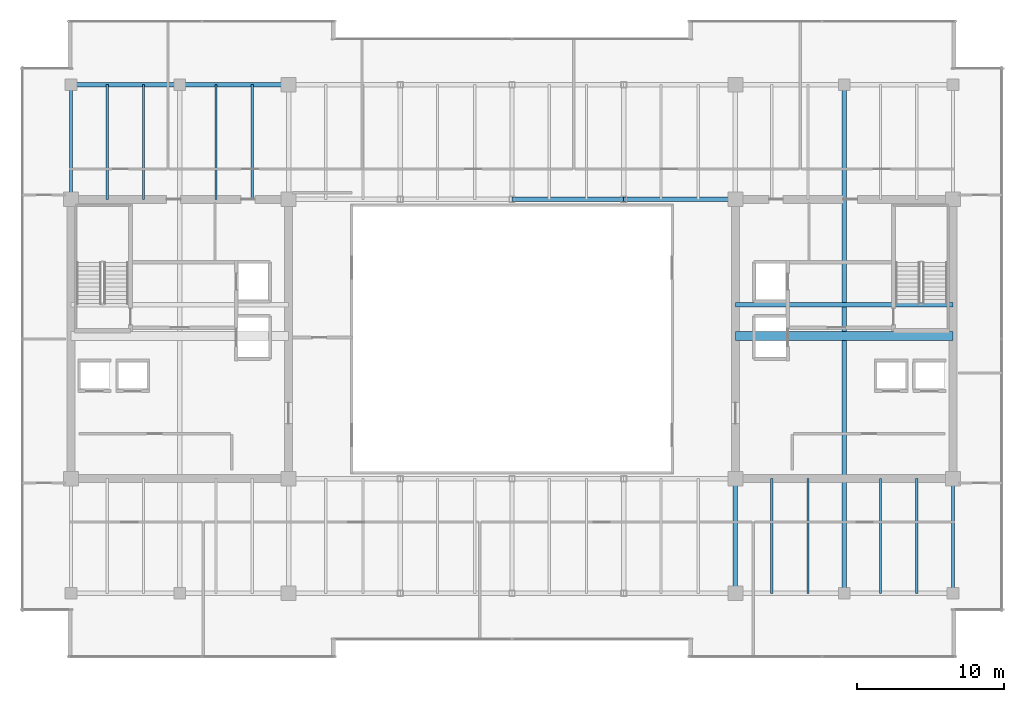
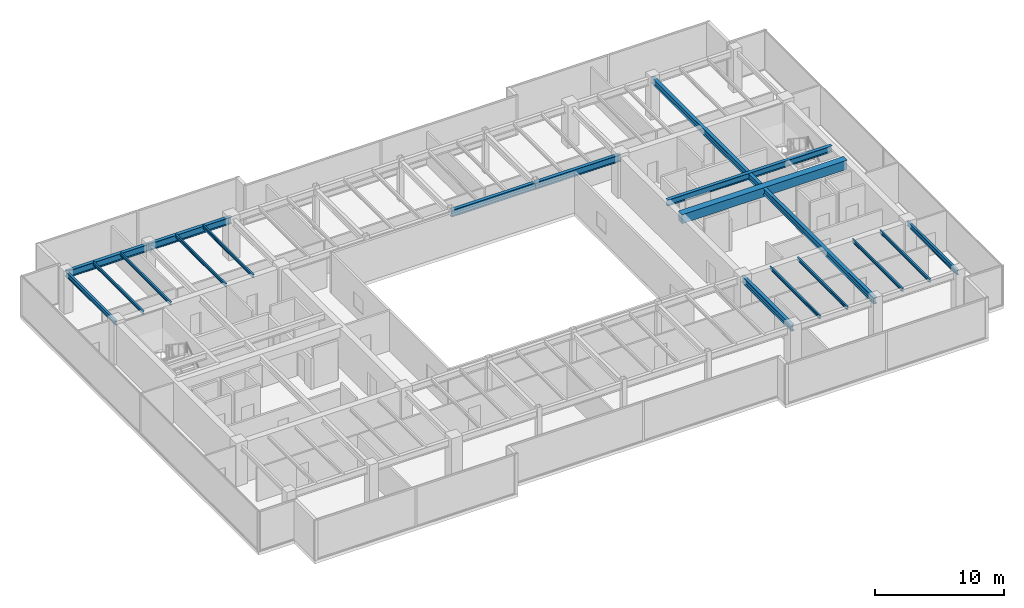
# One storey, part 14 of 33: 18 beams.
"""IFC4 building model written with IfcOpenShell, lengths in metres."""

from ifc_helpers import new_model, si_unit, direction, frame, origin, origin_2d, place, context, subcontext, project, spatial, rectangle, i_section, extrude, source, transform, mapped, material, material_profile, profile_set, type_object, type_shapes, element, save


model = new_model("IFC4")

# Units and contexts
model_context = context("Model", 3, precision=1e-05, world=origin(), true_north=direction((0.0, 1.0)))
body_context = subcontext(model_context, "Body", "Model", "MODEL_VIEW")
ifc_project = project(units=[si_unit("LENGTHUNIT", "METRE"), si_unit("AREAUNIT", "SQUARE_METRE"), si_unit("VOLUMEUNIT", "CUBIC_METRE"), si_unit("PLANEANGLEUNIT", "RADIAN"), si_unit("MASSUNIT", "GRAM", prefix="KILO")], contexts=[model_context])

# Site, building, storey
site_placement = place(None, origin())
site = spatial("IfcSite", under=ifc_project, at=site_placement, CompositionType="ELEMENT")
building_placement = place(site_placement, origin())
building = spatial("IfcBuilding", under=site, at=building_placement, Name="Haelvirn Gate Laboratories", CompositionType="ELEMENT")
storey_placement = place(building_placement, frame((0.0, 0.0, 217.800048828125)))
storey = spatial("IfcBuildingStorey", under=building, at=storey_placement, Name="L52", CompositionType="ELEMENT", Elevation=217.800048828125)

# Beams
ifc_material_1 = material(Name="Steel SM355", Category="steel")
ifc_material_profile_1 = material_profile(ifc_material_1, i_section(OverallWidth=0.300048828125, OverallDepth=0.587890625, WebThickness=0.011962890625, FlangeThickness=0.02001953125, at=origin_2d()), Name="H-588x300x12x20")
ifc_profile_set_1 = profile_set([ifc_material_profile_1], Name="Steel SM355")
beam_type_1 = type_object("IfcBeamType", Name="BM-G-588", PredefinedType="BEAM", material=ifc_profile_set_1)
shared_shape_1 = source(origin(), body_context, "Body", "SweptSolid", [
    extrude(i_section(OverallWidth=0.300048828125, OverallDepth=0.587890625, WebThickness=0.011962890625, FlangeThickness=0.02001953125, at=origin_2d()), origin(), (0.0, 0.0, 1.0), 14.7998046875),
])
beam_1_placement = place(storey_placement, frame((52.60009765625, 26.6201171875, 3.505859375), z_axis=(1.0, 0.0, 0.0), x_axis=(0.0, 1.0, 0.0)))
element("IfcBeam", 1, at=beam_1_placement, inside=storey, type_object=beam_type_1, Name="L52 Stair ST2 Landing Header", PredefinedType="BEAM", context=body_context, shape_type="MappedRepresentation", body=[
    mapped(shared_shape_1, transform((0.0, 0.0, 0.0), scale=1.0)),
])
ifc_material_profile_2 = material_profile(ifc_material_1, i_section(OverallWidth=0.14990234375, OverallDepth=0.300048828125, WebThickness=0.006591796875, FlangeThickness=0.009033203125, at=origin_2d()), Name="H-300x150x6.5x9")
ifc_profile_set_2 = profile_set([ifc_material_profile_2], Name="Steel SM355")
beam_type_2 = type_object("IfcBeamType", Name="BM-J-300", PredefinedType="JOIST", material=ifc_profile_set_2)
shared_shape_2 = source(origin(), body_context, "Body", "SweptSolid", [
    extrude(i_section(OverallWidth=0.14990234375, OverallDepth=0.300048828125, WebThickness=0.006591796875, FlangeThickness=0.009033203125, at=origin_2d()), origin(), (0.0, 0.0, 1.0), 7.800048828125),
])
type_shapes(beam_type_2, [shared_shape_2])
for number, where, z_axis, x_axis, name in (
    (2, (9.8701171875, 33.800048828125, 3.64990234375), (0.0, 1.0, 0.0), (-1.0, 0.0, 0.0), "L52 Composite Lab Joist North X9.87"),
    (3, (12.330078125, 33.800048828125, 3.64990234375), (0.0, 1.0, 0.0), (-1.0, 0.0, 0.0), "L52 Composite Lab Joist North X12.33"),
    (4, (17.27001953125, 33.800048828125, 3.64990234375), (0.0, 1.0, 0.0), (-1.0, 0.0, 0.0), "L52 Composite Lab Joist North X17.27"),
    (5, (19.72998046875, 33.800048828125, 3.64990234375), (0.0, 1.0, 0.0), (-1.0, 0.0, 0.0), "L52 Composite Lab Joist North X19.73"),
    (6, (55.070068359375, 7.0, 3.64990234375), (0.0, 1.0, 0.0), (-1.0, 0.0, 0.0), "L52 Composite Lab Joist South X55.07"),
    (7, (57.530029296875, 7.0, 3.64990234375), (0.0, 1.0, 0.0), (-1.0, 0.0, 0.0), "L52 Composite Lab Joist South X57.53"),
    (8, (62.469970703125, 7.0, 3.64990234375), (0.0, 1.0, 0.0), (-1.0, 0.0, 0.0), "L52 Composite Lab Joist South X62.47"),
    (9, (64.929931640625, 7.0, 3.64990234375), (0.0, 1.0, 0.0), (-1.0, 0.0, 0.0), "L52 Composite Lab Joist South X64.93"),
):
    element("IfcBeam", number, at=place(storey_placement, frame(where, z_axis=z_axis, x_axis=x_axis)), inside=storey, type_object=beam_type_2, Name=name, PredefinedType="JOIST", context=body_context, shape_type="MappedRepresentation", body=[
        mapped(shared_shape_2, transform((0.0, 0.0, 0.0), scale=1.0)),
    ])
shared_shape_3 = source(origin(), body_context, "Body", "SweptSolid", [
    extrude(i_section(OverallWidth=0.300048828125, OverallDepth=0.587890625, WebThickness=0.011962890625, FlangeThickness=0.02001953125, at=origin_2d()), origin(), (0.0, 0.0, 1.0), 34.60009765625),
])
beam_2_placement = place(storey_placement, frame((60.0, 7.0, 3.505859375), z_axis=(0.0, 1.0, 0.0), x_axis=(-1.0, 0.0, 0.0)))
element("IfcBeam", 10, at=beam_2_placement, inside=storey, type_object=beam_type_1, Name="L52 Frame Girder X60.0 (7.0-41.6)", PredefinedType="BEAM", context=body_context, shape_type="MappedRepresentation", body=[
    mapped(shared_shape_3, transform((0.0, 0.0, 0.0), scale=1.0)),
])
shared_shape_4 = source(origin(), body_context, "Body", "SweptSolid", [
    extrude(i_section(OverallWidth=0.300048828125, OverallDepth=0.587890625, WebThickness=0.011962890625, FlangeThickness=0.02001953125, at=origin_2d()), origin(), (0.0, 0.0, 1.0), 7.800048828125),
])
type_shapes(beam_type_1, [shared_shape_1, shared_shape_3, shared_shape_4])
beam_3_placement = place(storey_placement, frame((52.60009765625, 7.0, 3.505859375), z_axis=(0.0, 1.0, 0.0), x_axis=(-1.0, 0.0, 0.0)))
element("IfcBeam", 11, at=beam_3_placement, inside=storey, type_object=beam_type_1, Name="L52 Frame Girder X52.6 (7.0-14.8)", PredefinedType="BEAM", context=body_context, shape_type="MappedRepresentation", body=[
    mapped(shared_shape_4, transform((0.0, 0.0, 0.0), scale=1.0)),
])
ifc_material_2 = material(Name="Concrete C50/60", Category="concrete")
ifc_material_profile_3 = material_profile(ifc_material_2, rectangle(XDim=0.60009765625, YDim=0.85009765625, at=origin_2d()), Name="RCB-600x850")
ifc_profile_set_3 = profile_set([ifc_material_profile_3], Name="Concrete C50/60")
beam_type_3 = type_object("IfcBeamType", Name="BM-RCB-850", PredefinedType="LINTEL", material=ifc_profile_set_3)
shared_shape_5 = source(origin(), body_context, "Body", "SweptSolid", [
    extrude(rectangle(XDim=0.60009765625, YDim=0.85009765625, at=origin_2d()), origin(), (0.0, 0.0, 1.0), 14.7998046875),
])
type_shapes(beam_type_3, [shared_shape_5])
beam_4_placement = place(storey_placement, frame((52.60009765625, 24.5, 3.375), z_axis=(1.0, 0.0, 0.0), x_axis=(0.0, 1.0, 0.0)))
element("IfcBeam", 12, at=beam_4_placement, inside=storey, type_object=beam_type_3, Name="L52 East Core Coupling Beam", PredefinedType="LINTEL", context=body_context, shape_type="MappedRepresentation", body=[
    mapped(shared_shape_5, transform((0.0, 0.0, 0.0), scale=1.0)),
])
ifc_material_profile_4 = material_profile(ifc_material_1, i_section(OverallWidth=0.300048828125, OverallDepth=0.64990234375, WebThickness=0.012939453125, FlangeThickness=0.02197265625, at=origin_2d()), Name="H-650x300x13x22")
ifc_profile_set_4 = profile_set([ifc_material_profile_4], Name="Steel SM355")
beam_type_4 = type_object("IfcBeamType", Name="BM-G-650", PredefinedType="BEAM", material=ifc_profile_set_4)
shared_shape_6 = source(origin(), body_context, "Body", "SweptSolid", [
    extrude(i_section(OverallWidth=0.300048828125, OverallDepth=0.64990234375, WebThickness=0.012939453125, FlangeThickness=0.02197265625, at=origin_2d()), origin(), (0.0, 0.0, 1.0), 7.400146484375),
])
beam_5_placement = place(storey_placement, frame((7.39990234375, 41.60009765625, 3.474853515625), z_axis=(1.0, 0.0, 0.0), x_axis=(0.0, 1.0, 0.0)))
element("IfcBeam", 13, at=beam_5_placement, inside=storey, type_object=beam_type_4, Name="L52 Primary Girder Y41.6 (7.4-14.8)", PredefinedType="BEAM", context=body_context, shape_type="MappedRepresentation", body=[
    mapped(shared_shape_6, transform((0.0, 0.0, 0.0), scale=1.0)),
])
shared_shape_7 = source(origin(), body_context, "Body", "SweptSolid", [
    extrude(i_section(OverallWidth=0.300048828125, OverallDepth=0.64990234375, WebThickness=0.012939453125, FlangeThickness=0.02197265625, at=origin_2d()), origin(), (0.0, 0.0, 1.0), 7.39990234375),
])
beam_6_placement = place(storey_placement, frame((14.800048828125, 41.60009765625, 3.474853515625), z_axis=(1.0, 0.0, 0.0), x_axis=(0.0, 1.0, 0.0)))
element("IfcBeam", 14, at=beam_6_placement, inside=storey, type_object=beam_type_4, Name="L52 Primary Girder Y41.6 (14.8-22.2)", PredefinedType="BEAM", context=body_context, shape_type="MappedRepresentation", body=[
    mapped(shared_shape_7, transform((0.0, 0.0, 0.0), scale=1.0)),
])
shared_shape_8 = source(origin(), body_context, "Body", "SweptSolid", [
    extrude(i_section(OverallWidth=0.300048828125, OverallDepth=0.64990234375, WebThickness=0.012939453125, FlangeThickness=0.02197265625, at=origin_2d()), origin(), (0.0, 0.0, 1.0), 7.60009765625),
])
type_shapes(beam_type_4, [shared_shape_6, shared_shape_7, shared_shape_8])
for number, where, z_axis, x_axis, name in (
    (15, (37.39990234375, 33.800048828125, 3.474853515625), (1.0, 0.0, 0.0), (0.0, 1.0, 0.0), "L52 Primary Girder Y33.8 (37.4-45.0)"),
    (16, (45.0, 33.800048828125, 3.474853515625), (1.0, 0.0, 0.0), (0.0, 1.0, 0.0), "L52 Primary Girder Y33.8 (45.0-52.6)"),
):
    element("IfcBeam", number, at=place(storey_placement, frame(where, z_axis=z_axis, x_axis=x_axis)), inside=storey, type_object=beam_type_4, Name=name, PredefinedType="BEAM", context=body_context, shape_type="MappedRepresentation", body=[
        mapped(shared_shape_8, transform((0.0, 0.0, 0.0), scale=1.0)),
    ])
ifc_material_profile_5 = material_profile(ifc_material_1, i_section(OverallWidth=0.199951171875, OverallDepth=0.449951171875, WebThickness=0.009033203125, FlangeThickness=0.013916015625, at=origin_2d()), Name="H-450x200x9x14")
ifc_profile_set_5 = profile_set([ifc_material_profile_5], Name="Steel SM355")
beam_type_5 = type_object("IfcBeamType", Name="BM-SP-450", PredefinedType="SPANDREL", material=ifc_profile_set_5)
shared_shape_9 = source(origin(), body_context, "Body", "SweptSolid", [
    extrude(i_section(OverallWidth=0.199951171875, OverallDepth=0.449951171875, WebThickness=0.009033203125, FlangeThickness=0.013916015625, at=origin_2d()), origin(), (0.0, 0.0, 1.0), 7.800048828125),
])
type_shapes(beam_type_5, [shared_shape_9])
for number, where, z_axis, x_axis, name in (
    (17, (7.39990234375, 33.800048828125, 3.574951171875), (0.0, 1.0, 0.0), (-1.0, 0.0, 0.0), "L52 Perimeter Spandrel X7.4 (33.8-41.6)"),
    (18, (67.39990234375, 7.0, 3.574951171875), (0.0, 1.0, 0.0), (-1.0, 0.0, 0.0), "L52 Perimeter Spandrel X67.4 (7.0-14.8)"),
):
    element("IfcBeam", number, at=place(storey_placement, frame(where, z_axis=z_axis, x_axis=x_axis)), inside=storey, type_object=beam_type_5, Name=name, PredefinedType="SPANDREL", context=body_context, shape_type="MappedRepresentation", body=[
        mapped(shared_shape_9, transform((0.0, 0.0, 0.0), scale=1.0)),
    ])

save(model, "model.ifc")
